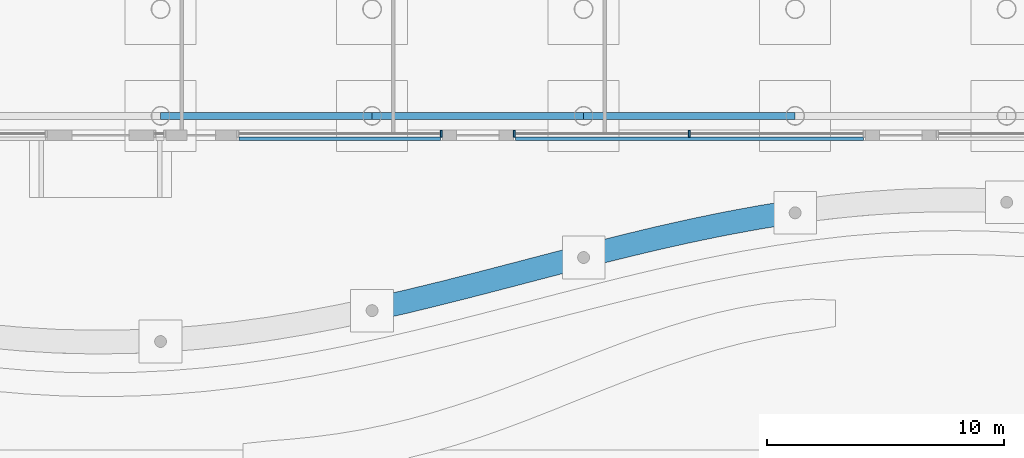
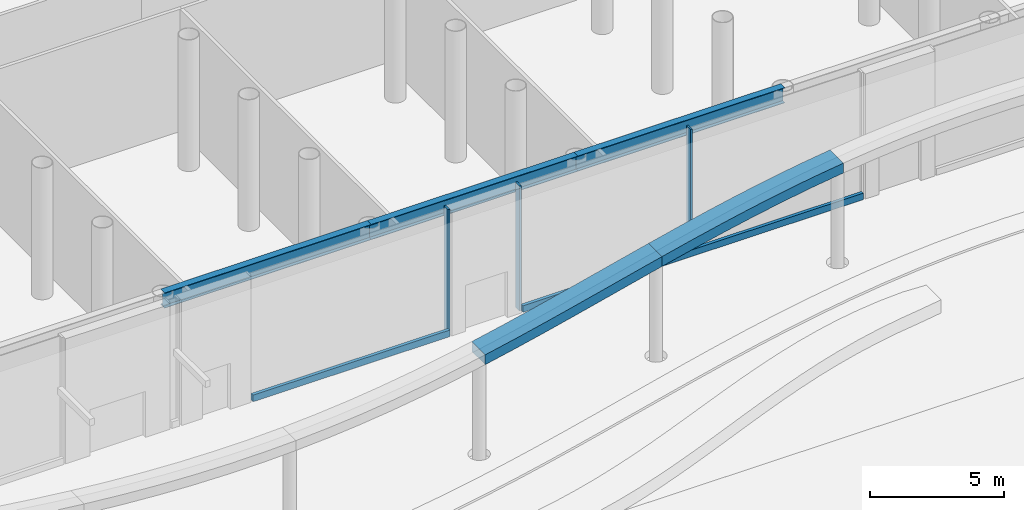
# One storey, part 7 of 75: 5 beams, 5 members, 2 elements without a shape of their own.
"""IFC4 building model written with IfcOpenShell, lengths in metres."""

from ifc_helpers import new_model, si_unit, direction, frame, origin, origin_2d, place, context, subcontext, project, spatial, polyline, rectangle, i_section, outline, extrude, material, layer, layer_set, material_profile, profile_set, type_object, element, aggregate, save


model = new_model("IFC4")

# Units and contexts
model_context = context("Model", 3, precision=1e-05, world=origin(), true_north=direction((0.0, 1.0)))
body_context = subcontext(model_context, "Body", "Model", "MODEL_VIEW")
ifc_project = project(units=[si_unit("LENGTHUNIT", "METRE"), si_unit("AREAUNIT", "SQUARE_METRE"), si_unit("VOLUMEUNIT", "CUBIC_METRE"), si_unit("PLANEANGLEUNIT", "RADIAN"), si_unit("MASSUNIT", "GRAM", prefix="KILO")], contexts=[model_context])

# Site, building, storey
site_placement = place(None, origin())
site = spatial("IfcSite", under=ifc_project, at=site_placement, CompositionType="ELEMENT")
building_placement = place(site_placement, origin())
building = spatial("IfcBuilding", under=site, at=building_placement, Name="Ipe Terrace Towers", CompositionType="ELEMENT")
storey_placement = place(building_placement, origin())
storey = spatial("IfcBuildingStorey", under=building, at=storey_placement, Name="L00", CompositionType="ELEMENT", Elevation=0.0)

# Beams
ifc_material_1 = material(Name="Steel S355", Category="steel")
ifc_material_profile_1 = material_profile(ifc_material_1, i_section(OverallWidth=0.300048828125, OverallDepth=0.699951171875, WebThickness=0.012939453125, FlangeThickness=0.02392578125, at=origin_2d()), Name="H-700x300x13x24")
ifc_profile_set_1 = profile_set([ifc_material_profile_1], Name="Steel S355")
beam_type_1 = type_object("IfcBeamType", Name="H13 DECK EDGE BEAM H-700x300x13x24", PredefinedType="BEAM", material=ifc_profile_set_1)
beam_1_placement = place(storey_placement, frame((-33.469970703125, -42.14990234375, 5.22998046875), z_axis=(1.0, 0.0, 0.0), x_axis=(0.0, 1.0, 0.0)))
element("IfcBeam", 1, at=beam_1_placement, inside=storey, type_object=beam_type_1, Name="Deck edge beam PD-TB-A05-A06", PredefinedType="BEAM", context=body_context, shape_type="SweptSolid", body=[
    extrude(i_section(OverallWidth=0.300048828125, OverallDepth=0.699951171875, WebThickness=0.012939453125, FlangeThickness=0.02392578125, at=origin_2d()), origin(), (0.0, 0.0, 1.0), 8.919921875),
])
beam_2_placement = place(storey_placement, frame((-24.550048828125, -42.14990234375, 5.22998046875), z_axis=(1.0, 0.0, 0.0), x_axis=(0.0, 1.0, 0.0)))
element("IfcBeam", 2, at=beam_2_placement, inside=storey, type_object=beam_type_1, Name="Deck edge beam PD-TB-A06-A07", PredefinedType="BEAM", context=body_context, shape_type="SweptSolid", body=[
    extrude(i_section(OverallWidth=0.300048828125, OverallDepth=0.699951171875, WebThickness=0.012939453125, FlangeThickness=0.02392578125, at=origin_2d()), origin(), (0.0, 0.0, 1.0), 8.920166015625),
])
beam_3_placement = place(storey_placement, frame((-15.6298828125, -42.14990234375, 5.22998046875), z_axis=(1.0, 0.0, 0.0), x_axis=(0.0, 1.0, 0.0)))
element("IfcBeam", 3, at=beam_3_placement, inside=storey, type_object=beam_type_1, Name="Deck edge beam PD-TB-A07-A08", PredefinedType="BEAM", context=body_context, shape_type="SweptSolid", body=[
    extrude(i_section(OverallWidth=0.300048828125, OverallDepth=0.699951171875, WebThickness=0.012939453125, FlangeThickness=0.02392578125, at=origin_2d()), origin(), (0.0, 0.0, 1.0), 8.919921875),
])
ifc_material_2 = material(Name="Concrete C40/50", Category="concrete")
beam_type_2 = type_object("IfcBeamType", Name="MARQUISE EDGE BEAM C40/50 1000 x 450", PredefinedType="BEAM", material=ifc_material_2)
beam_4_placement = place(storey_placement, frame((0.0, 0.0, 4.35009765625)))
element("IfcBeam", 4, at=beam_4_placement, inside=storey, type_object=beam_type_2, Name="marquise edge beam", PredefinedType="BEAM", context=body_context, shape_type="SweptSolid", body=[
    extrude(outline(polyline([(-24.550048828125, -50.81298828125), (-24.550048828125, -49.81298828125), (-23.06298828125, -49.472900390625), (-21.576904296875, -49.111083984375), (-20.090087890625, -48.73388671875), (-18.60302734375, -48.347900390625), (-17.116943359375, -47.958984375), (-15.6298828125, -47.573974609375), (-15.6298828125, -48.573974609375), (-17.116943359375, -48.958984375), (-18.60302734375, -49.347900390625), (-20.090087890625, -49.73388671875), (-21.576904296875, -50.111083984375), (-23.06298828125, -50.472900390625), (-24.550048828125, -50.81298828125)])), origin(), (0.0, 0.0, 1.0), 0.449951171875),
])
beam_5_placement = place(storey_placement, frame((0.0, 0.0, 4.35009765625)))
element("IfcBeam", 5, at=beam_5_placement, inside=storey, type_object=beam_type_2, Name="marquise edge beam", PredefinedType="BEAM", context=body_context, shape_type="SweptSolid", body=[
    extrude(outline(polyline([(-15.6298828125, -48.573974609375), (-15.6298828125, -47.573974609375), (-14.14306640625, -47.198974609375), (-12.656982421875, -46.841064453125), (-11.169921875, -46.506103515625), (-9.68310546875, -46.198974609375), (-8.197021484375, -45.925048828125), (-6.7099609375, -45.68994140625), (-6.7099609375, -46.68994140625), (-8.197021484375, -46.925048828125), (-9.68310546875, -47.198974609375), (-11.169921875, -47.506103515625), (-12.656982421875, -47.841064453125), (-14.14306640625, -48.198974609375), (-15.6298828125, -48.573974609375)])), origin(), (0.0, 0.0, 1.0), 0.449951171875),
])

# Curtain wall, member
ifc_material_3 = material(Name="Aluminium alloy 6063-T6", Category="aluminium")
ifc_layer = layer(ifc_material_3, 0.43994140625)
ifc_layer_set = layer_set([ifc_layer], Name="PODIUM GLAZING CURTAIN WALL")
curtain_wall_type = type_object("IfcCurtainWallType", Name="PODIUM GLAZING CURTAIN WALL", PredefinedType="NOTDEFINED", material=ifc_layer_set)
curtain_wall_1_placement = place(storey_placement, origin())
curtain_wall_1 = element("IfcCurtainWall", 6, at=curtain_wall_1_placement, inside=storey, type_object=curtain_wall_type, Name="POD-CW-L00-03i curtain wall", PredefinedType="NOTDEFINED")
ifc_material_4 = material(Name="Aluminium alloy 6063-T6", Category="aluminium")
ifc_material_profile_2 = material_profile(ifc_material_4, rectangle(XDim=0.300048828125, YDim=0.080078125, at=origin_2d()), Name="PODIUM GLAZING MULLION 300 x 80")
ifc_profile_set_2 = profile_set([ifc_material_profile_2], Name="Aluminium alloy 6063-T6")
member_type_1 = type_object("IfcMemberType", Name="PODIUM GLAZING MULLION 300 x 80", PredefinedType="MULLION", material=ifc_profile_set_2)
member_1_placement = place(storey_placement, frame((-21.6298828125, -42.89990234375, 0.0), z_axis=(0.0, 0.0, 1.0), x_axis=(0.0, -1.0, 0.0)))
member_1 = element("IfcMember", 7, at=member_1_placement, type_object=member_type_1, Name="POD-CW-L00-03i mullion 2", PredefinedType="MULLION", context=body_context, shape_type="SweptSolid", body=[
    extrude(rectangle(XDim=0.300048828125, YDim=0.080078125, at=origin_2d()), origin(), (0.0, 0.0, 1.0), 5.699951171875),
])

# Curtain wall, members
curtain_wall_2_placement = place(storey_placement, origin())
curtain_wall_2 = element("IfcCurtainWall", 8, at=curtain_wall_2_placement, inside=storey, type_object=curtain_wall_type, Name="POD-CW-L00-03k curtain wall", PredefinedType="NOTDEFINED")
member_2_placement = place(storey_placement, frame((-18.550048828125, -42.89990234375, 0.0), z_axis=(0.0, 0.0, 1.0), x_axis=(0.0, -1.0, 0.0)))
member_2 = element("IfcMember", 9, at=member_2_placement, type_object=member_type_1, Name="POD-CW-L00-03k mullion 1", PredefinedType="MULLION", context=body_context, shape_type="SweptSolid", body=[
    extrude(rectangle(XDim=0.300048828125, YDim=0.080078125, at=origin_2d()), origin(), (0.0, 0.0, 1.0), 5.699951171875),
])
member_3_placement = place(storey_placement, frame((-11.169921875, -42.89990234375, 0.0), z_axis=(0.0, 0.0, 1.0), x_axis=(0.0, -1.0, 0.0)))
member_3 = element("IfcMember", 10, at=member_3_placement, type_object=member_type_1, Name="POD-CW-L00-03k mullion 2", PredefinedType="MULLION", context=body_context, shape_type="SweptSolid", body=[
    extrude(rectangle(XDim=0.300048828125, YDim=0.080078125, at=origin_2d()), origin(), (0.0, 0.0, 1.0), 5.699951171875),
])

# Member
ifc_material_5 = material(Name="Aluminium alloy 6063-T6", Category="aluminium")
ifc_material_profile_3 = material_profile(ifc_material_5, rectangle(XDim=0.139892578125, YDim=0.300048828125, at=origin_2d()), Name="PODIUM GLAZING TRANSOM 140 x 300")
ifc_profile_set_3 = profile_set([ifc_material_profile_3], Name="Aluminium alloy 6063-T6")
member_type_2 = type_object("IfcMemberType", Name="PODIUM GLAZING TRANSOM 140 x 300", PredefinedType="USERDEFINED", material=ifc_profile_set_3)
member_4_placement = place(storey_placement, frame((-30.169921875, -43.1201171875, 0.14990234375), z_axis=(1.0, 0.0, 0.0), x_axis=(0.0, -1.0, 0.0)))
member_4 = element("IfcMember", 11, at=member_4_placement, type_object=member_type_2, Name="POD-CW-L00-03i transom", ObjectType="TRANSOM", PredefinedType="USERDEFINED", context=body_context, shape_type="SweptSolid", body=[
    extrude(rectangle(XDim=0.139892578125, YDim=0.300048828125, at=origin_2d()), origin(), (0.0, 0.0, 1.0), 8.5),
])

aggregate(curtain_wall_1, [member_1, member_4])

member_5_placement = place(storey_placement, frame((-18.510009765625, -43.1201171875, 0.14990234375), z_axis=(1.0, 0.0, 0.0), x_axis=(0.0, -1.0, 0.0)))
member_5 = element("IfcMember", 12, at=member_5_placement, type_object=member_type_2, Name="POD-CW-L00-03k transom", ObjectType="TRANSOM", PredefinedType="USERDEFINED", context=body_context, shape_type="SweptSolid", body=[
    extrude(rectangle(XDim=0.139892578125, YDim=0.300048828125, at=origin_2d()), origin(), (0.0, 0.0, 1.0), 14.679931640625),
])

aggregate(curtain_wall_2, [member_2, member_3, member_5])

save(model, "model.ifc")
